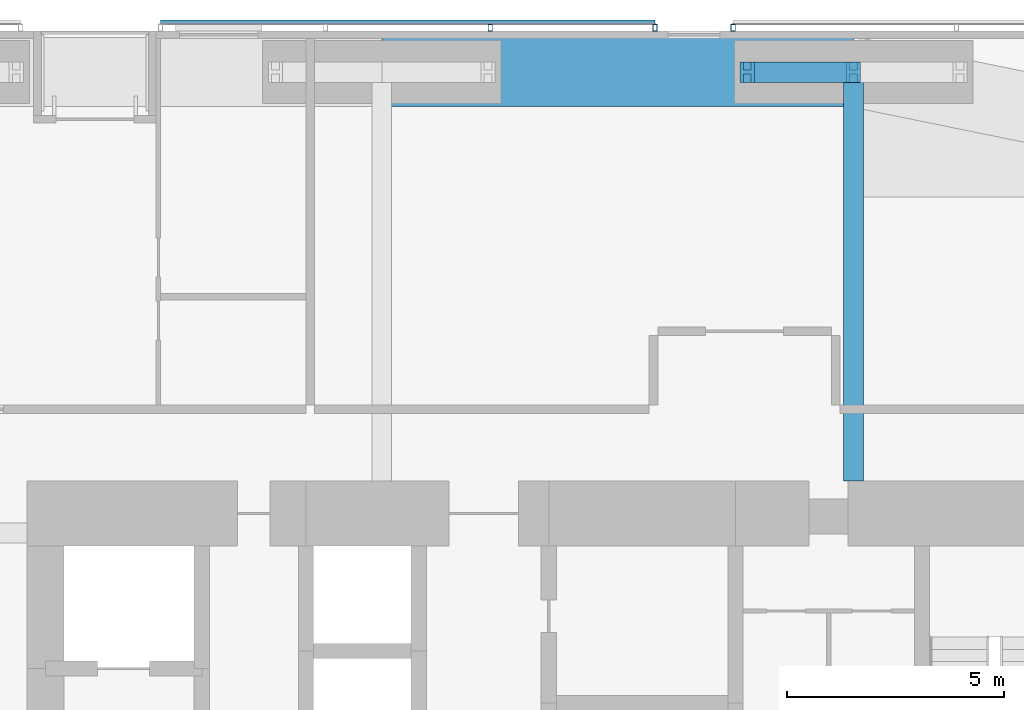
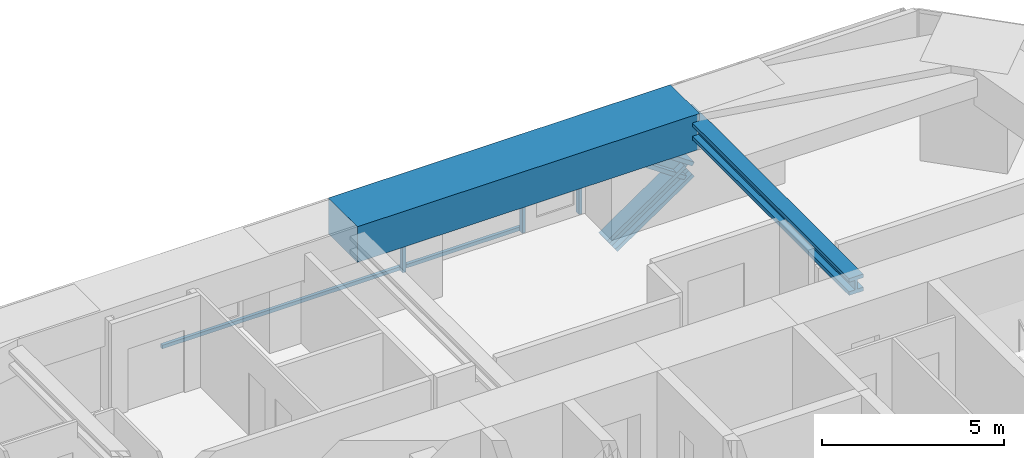
# One storey, part 14 of 24: 6 members, 2 beams, 2 elements without a shape of their own.
"""IFC4 building model written with IfcOpenShell, lengths in metres."""

from ifc_helpers import new_model, si_unit, direction, frame, origin, origin_2d, place, context, subcontext, project, spatial, rectangle, hollow_rectangle, i_section, extrude, material, material_profile, profile_set, type_object, element, aggregate, save


model = new_model("IFC4")

# Units and contexts
model_context = context("Model", 3, precision=1e-05, world=origin(), true_north=direction((0.0, 1.0)))
body_context = subcontext(model_context, "Body", "Model", "MODEL_VIEW")
ifc_project = project(units=[si_unit("LENGTHUNIT", "METRE"), si_unit("AREAUNIT", "SQUARE_METRE"), si_unit("VOLUMEUNIT", "CUBIC_METRE"), si_unit("PLANEANGLEUNIT", "RADIAN"), si_unit("MASSUNIT", "GRAM", prefix="KILO")], contexts=[model_context])

# Site, building, storey
site_placement = place(None, origin())
site = spatial("IfcSite", under=ifc_project, at=site_placement, CompositionType="ELEMENT")
building_placement = place(site_placement, origin())
building = spatial("IfcBuilding", under=site, at=building_placement, Name="Jalousie Tower", CompositionType="ELEMENT")
storey_placement = place(building_placement, frame((0.0, 0.0, 131.64990234375)))
storey = spatial("IfcBuildingStorey", under=building, at=storey_placement, Name="L36", CompositionType="ELEMENT", Elevation=131.64990234375)

# Beam
ifc_material_1 = material(Name="Steel ASTM A992 Grade 50", Category="steel")
ifc_material_profile_1 = material_profile(ifc_material_1, i_section(OverallWidth=0.45458984375, OverallDepth=0.569091796875, WebThickness=0.077880859375, FlangeThickness=0.124755859375, at=origin_2d()), Name="W14X730")
ifc_profile_set_1 = profile_set([ifc_material_profile_1], Name="Steel ASTM A992 Grade 50")
beam_type_1 = type_object("IfcBeamType", Name="LEAN COLLECTOR W14X730", PredefinedType="BEAM", material=ifc_profile_set_1)
beam_1_placement = place(storey_placement, frame((38.625, 37.050048828125, 2.82568359375), z_axis=(0.0, -1.0, 0.0), x_axis=(1.0, 0.0, 0.0)))
element("IfcBeam", 1, at=beam_1_placement, inside=storey, type_object=beam_type_1, Name="Lean collector under L37", PredefinedType="BEAM", context=body_context, shape_type="SweptSolid", body=[
    extrude(i_section(OverallWidth=0.45458984375, OverallDepth=0.569091796875, WebThickness=0.077880859375, FlangeThickness=0.124755859375, at=origin_2d()), origin(), (0.0, 0.0, 1.0), 9.425048828125),
])

# Members
ifc_material_2 = material(Name="Steel ASTM A992 Grade 50", Category="steel")
ifc_material_profile_2 = material_profile(ifc_material_2, i_section(OverallWidth=0.472412109375, OverallDepth=0.5791015625, WebThickness=0.094970703125, FlangeThickness=0.1298828125, at=origin_2d()), Name="W14X808")
ifc_profile_set_2 = profile_set([ifc_material_profile_2], Name="Steel ASTM A992 Grade 50")
member_type_1 = type_object("IfcMemberType", Name="PERIMETER BRACE W14X808", PredefinedType="BRACE", material=ifc_profile_set_2)
for number, where, z_axis, x_axis, name in (
    (2, (36.175048828125, 37.050048828125, -0.599853515625), (0.825500916831, 0.0, 0.564400776321), (0.0, 1.0, 0.0), "Perimeter brace 09 L36 part 1"),
    (3, (38.625, 37.050048828125, 1.0751953125), (-0.825539243753, 0.0, 0.564344714713), (0.0, -1.0, 0.0), "Perimeter brace 09 L36 part 4"),
):
    element("IfcMember", number, at=place(storey_placement, frame(where, z_axis=z_axis, x_axis=x_axis)), inside=storey, type_object=member_type_1, Name=name, PredefinedType="BRACE", context=body_context, shape_type="SweptSolid", body=[
        extrude(i_section(OverallWidth=0.472412109375, OverallDepth=0.5791015625, WebThickness=0.094970703125, FlangeThickness=0.1298828125, at=origin_2d()), origin(), (0.0, 0.0, 1.0), 2.9677734375),
    ])

# Beam
ifc_material_3 = material(Name="Concrete f'c 40 MPa", Category="concrete")
ifc_material_profile_3 = material_profile(ifc_material_3, rectangle(XDim=1.60009765625, YDim=1.199951171875, at=origin_2d()), Name="RC 1600x1200")
ifc_profile_set_3 = profile_set([ifc_material_profile_3], Name="Concrete f'c 40 MPa")
beam_type_2 = type_object("IfcBeamType", Name="RC BEAM 1600x1200", PredefinedType="BEAM", material=ifc_profile_set_3)
beam_2_placement = place(storey_placement, frame((38.625, 37.050048828125, 2.75), z_axis=(-1.0, 0.0, 0.0), x_axis=(0.0, -1.0, 0.0)))
element("IfcBeam", 4, at=beam_2_placement, inside=storey, type_object=beam_type_2, Name="Edge band beam 09-10 under L37", PredefinedType="BEAM", context=body_context, shape_type="SweptSolid", body=[
    extrude(rectangle(XDim=1.60009765625, YDim=1.199951171875, at=origin_2d()), origin(), (0.0, 0.0, 1.0), 10.875),
])

# Curtain wall, member
ifc_material_4 = material(Name="Perforated aluminium sheet", Category="aluminium")
curtain_wall_type = type_object("IfcCurtainWallType", Name="SOLAR SCREEN SS-1", PredefinedType="USERDEFINED", material=ifc_material_4)
curtain_wall_1_placement = place(storey_placement, origin())
curtain_wall_1 = element("IfcCurtainWall", 5, at=curtain_wall_1_placement, inside=storey, type_object=curtain_wall_type, Name="Solar screen L36", ObjectType="SOLAR SCREEN SS-1", PredefinedType="USERDEFINED")
ifc_material_5 = material(Name="Steel ASTM A500 Grade C", Category="steel")
ifc_material_profile_4 = material_profile(ifc_material_5, hollow_rectangle(XDim=0.1015625, YDim=0.15234375, WallThickness=0.00634765625, at=origin_2d()), Name="HSS6X4X1/4")
ifc_profile_set_4 = profile_set([ifc_material_profile_4], Name="Steel ASTM A500 Grade C")
member_type_2 = type_object("IfcMemberType", Name="SOLAR SCREEN SS-1 MULLION", PredefinedType="MULLION", material=ifc_profile_set_4)
member_1_placement = place(storey_placement, frame((35.84814453125, 38.0712890625, -0.119873046875), z_axis=(0.0, 0.0, 1.0), x_axis=(-1.0, 0.0, 0.0)))
member_1 = element("IfcMember", 6, at=member_1_placement, type_object=member_type_2, Name="SS1 post 3", PredefinedType="MULLION", context=body_context, shape_type="SweptSolid", body=[
    extrude(hollow_rectangle(XDim=0.1015625, YDim=0.15234375, WallThickness=0.00634765625, at=origin_2d()), origin(), (0.0, 0.0, 1.0), 3.22998046875),
])
aggregate(curtain_wall_1, [member_1])

# Curtain wall, members
curtain_wall_2_placement = place(storey_placement, origin())
curtain_wall_2 = element("IfcCurtainWall", 7, at=curtain_wall_2_placement, inside=storey, type_object=curtain_wall_type, Name="Solar screen L36", ObjectType="SOLAR SCREEN SS-1", PredefinedType="USERDEFINED")
member_2_placement = place(storey_placement, frame((34.048095703125, 38.0712890625, -0.119873046875), z_axis=(0.0, 0.0, 1.0), x_axis=(-1.0, 0.0, 0.0)))
member_2 = element("IfcMember", 8, at=member_2_placement, type_object=member_type_2, Name="SS1 post 1", PredefinedType="MULLION", context=body_context, shape_type="SweptSolid", body=[
    extrude(hollow_rectangle(XDim=0.1015625, YDim=0.15234375, WallThickness=0.00634765625, at=origin_2d()), origin(), (0.0, 0.0, 1.0), 3.22998046875),
])
member_3_placement = place(storey_placement, frame((30.248779296875, 38.0712890625, -0.119873046875), z_axis=(0.0, 0.0, 1.0), x_axis=(-1.0, 0.0, 0.0)))
member_3 = element("IfcMember", 9, at=member_3_placement, type_object=member_type_2, Name="SS1 post 2", PredefinedType="MULLION", context=body_context, shape_type="SweptSolid", body=[
    extrude(hollow_rectangle(XDim=0.1015625, YDim=0.15234375, WallThickness=0.00634765625, at=origin_2d()), origin(), (0.0, 0.0, 1.0), 3.22998046875),
])
ifc_material_6 = material(Name="Extruded aluminium screen rail", Category="aluminium")
ifc_material_profile_5 = material_profile(ifc_material_6, rectangle(XDim=0.1015625, YDim=0.1201171875, at=origin_2d()), Name="RAIL 102x120")
ifc_profile_set_5 = profile_set([ifc_material_profile_5], Name="Extruded aluminium screen rail")
member_type_3 = type_object("IfcMemberType", Name="SOLAR SCREEN SS-1 TRANSOM", PredefinedType="USERDEFINED", material=ifc_profile_set_5)
member_4_placement = place(storey_placement, frame((34.048095703125, 38.1982421875, -0.059814453125), z_axis=(-1.0, 0.0, 0.0), x_axis=(0.0, -1.0, 0.0)))
member_4 = element("IfcMember", 10, at=member_4_placement, type_object=member_type_3, Name="SS1 rail", ObjectType="TRANSOM", PredefinedType="USERDEFINED", context=body_context, shape_type="SweptSolid", body=[
    extrude(rectangle(XDim=0.1015625, YDim=0.1201171875, at=origin_2d()), origin(), (0.0, 0.0, 1.0), 11.398193359375),
])
aggregate(curtain_wall_2, [member_2, member_3, member_4])

save(model, "model.ifc")
